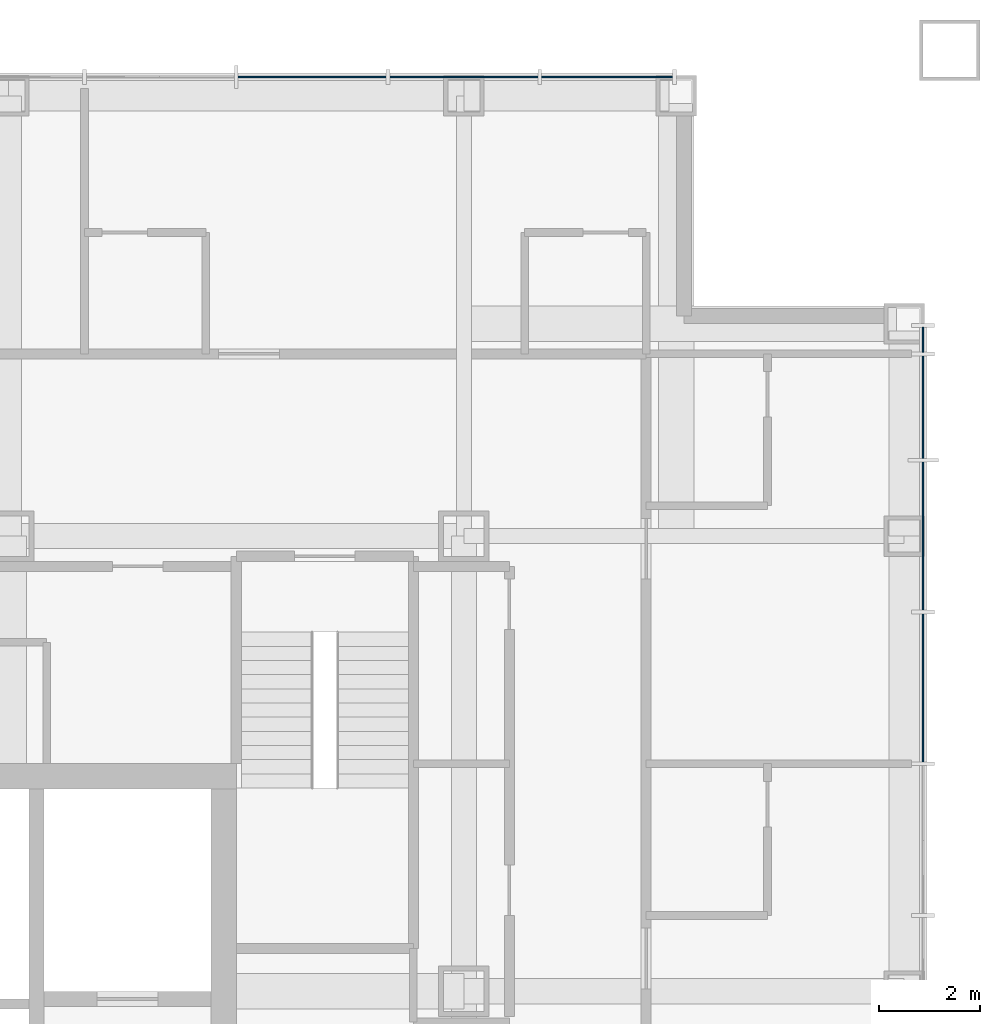
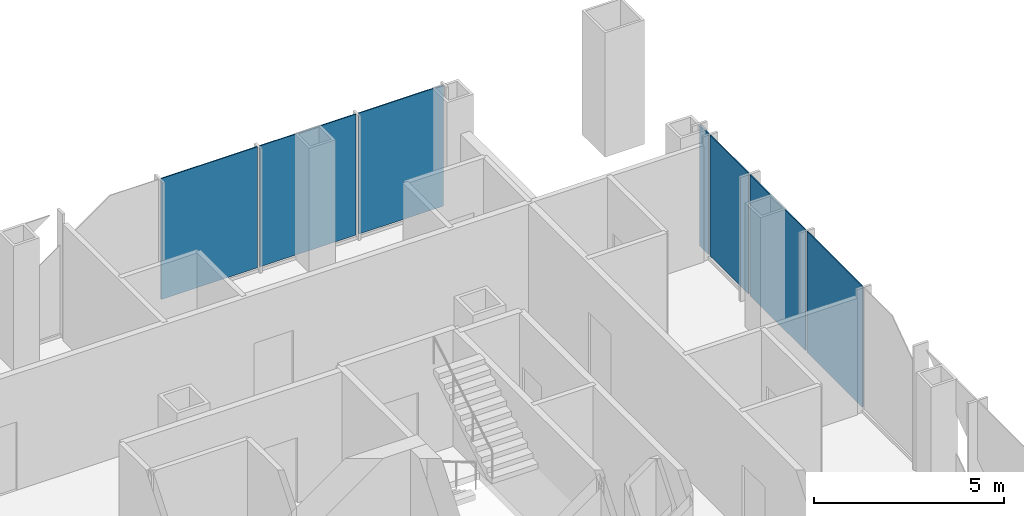
# One storey, part 11 of 17: 7 plates, 2 elements without a shape of their own.
"""IFC4 building model written with IfcOpenShell, lengths in metres."""

from ifc_helpers import new_model, si_unit, direction, frame, origin, origin_2d, place, context, subcontext, project, spatial, rectangle, extrude, material, layer, layer_set, type_object, element, aggregate, save


model = new_model("IFC4")

# Units and contexts
model_context = context("Model", 3, precision=1e-05, world=origin(), true_north=direction((0.0, 1.0)))
body_context = subcontext(model_context, "Body", "Model", "MODEL_VIEW")
ifc_project = project(units=[si_unit("LENGTHUNIT", "METRE"), si_unit("AREAUNIT", "SQUARE_METRE"), si_unit("VOLUMEUNIT", "CUBIC_METRE"), si_unit("PLANEANGLEUNIT", "RADIAN"), si_unit("MASSUNIT", "GRAM", prefix="KILO")], contexts=[model_context])

# Site, building, storey
site_placement = place(None, origin())
site = spatial("IfcSite", under=ifc_project, at=site_placement, CompositionType="ELEMENT")
building_placement = place(site_placement, origin())
building = spatial("IfcBuilding", under=site, at=building_placement, Name="Malebo Sky Hospital", CompositionType="ELEMENT")
storey_placement = place(building_placement, frame((0.0, 0.0, 193.0)))
storey = spatial("IfcBuildingStorey", under=building, at=storey_placement, Name="L46", CompositionType="ELEMENT", Elevation=193.0)

# Curtain wall, plates
ifc_material_1 = material(Name="Anodised aluminium, natural silver", Category="aluminium")
ifc_layer_1 = layer(ifc_material_1, 0.25)
ifc_layer_set_1 = layer_set([ifc_layer_1], Name="WARD CURTAIN WALL NORTH AND SOUTH")
curtain_wall_type_1 = type_object("IfcCurtainWallType", Name="WARD CURTAIN WALL NORTH AND SOUTH", PredefinedType="NOTDEFINED", material=ifc_layer_set_1)
curtain_wall_1_placement = place(storey_placement, origin())
curtain_wall_1 = element("IfcCurtainWall", 1, at=curtain_wall_1_placement, inside=storey, type_object=curtain_wall_type_1, Name="NS curtain wall N", PredefinedType="NOTDEFINED")
ifc_material_2 = material(Name="Clear low-iron double glazing", Category="glass")
ifc_layer_2 = layer(ifc_material_2, 0.031982421875)
ifc_layer_set_2 = layer_set([ifc_layer_2], Name="VISION PANEL CLEAR 32")
plate_type = type_object("IfcPlateType", Name="VISION PANEL CLEAR 32", PredefinedType="CURTAIN_PANEL", material=ifc_layer_set_2)
plate_1_placement = place(storey_placement, frame((70.5, 84.574951171875, 0.10009765625), z_axis=(0.0, 0.0, 1.0), x_axis=(1.0, 0.0, 0.0)))
plate_1 = element("IfcPlate", 2, at=plate_1_placement, type_object=plate_type, Name="Panel 11", PredefinedType="CURTAIN_PANEL", context=body_context, shape_type="SweptSolid", body=[
    extrude(rectangle(XDim=2.925048828125, YDim=0.031982421875, at=origin_2d()), origin(), (0.0, 0.0, 1.0), 3.889892578125),
])
plate_2_placement = place(storey_placement, frame((73.5, 84.574951171875, 0.10009765625), z_axis=(0.0, 0.0, 1.0), x_axis=(1.0, 0.0, 0.0)))
plate_2 = element("IfcPlate", 3, at=plate_2_placement, type_object=plate_type, Name="Panel 12", PredefinedType="CURTAIN_PANEL", context=body_context, shape_type="SweptSolid", body=[
    extrude(rectangle(XDim=2.925048828125, YDim=0.031982421875, at=origin_2d()), origin(), (0.0, 0.0, 1.0), 3.889892578125),
])
plate_3_placement = place(storey_placement, frame((76.331298828125, 84.574951171875, 0.10009765625), z_axis=(0.0, 0.0, 1.0), x_axis=(1.0, 0.0, 0.0)))
plate_3 = element("IfcPlate", 4, at=plate_3_placement, type_object=plate_type, Name="Panel 13", PredefinedType="CURTAIN_PANEL", context=body_context, shape_type="SweptSolid", body=[
    extrude(rectangle(XDim=2.58740234375, YDim=0.031982421875, at=origin_2d()), origin(), (0.0, 0.0, 1.0), 3.889892578125),
])
aggregate(curtain_wall_1, [plate_1, plate_2, plate_3])

ifc_layer_3 = layer(ifc_material_1, 0.25)
ifc_layer_set_3 = layer_set([ifc_layer_3], Name="WARD CURTAIN WALL EAST AND WEST")
curtain_wall_type_2 = type_object("IfcCurtainWallType", Name="WARD CURTAIN WALL EAST AND WEST", PredefinedType="NOTDEFINED", material=ifc_layer_set_3)
curtain_wall_2_placement = place(storey_placement, origin())
curtain_wall_2 = element("IfcCurtainWall", 5, at=curtain_wall_2_placement, inside=storey, type_object=curtain_wall_type_2, Name="EW curtain wall E", PredefinedType="NOTDEFINED")
plate_4_placement = place(storey_placement, frame((82.574951171875, 79.38134765625, 0.10009765625), z_axis=(0.0, 0.0, 1.0), x_axis=(0.0, -1.0, 0.0)))
plate_4 = element("IfcPlate", 6, at=plate_4_placement, type_object=plate_type, Name="Panel 1", PredefinedType="CURTAIN_PANEL", context=body_context, shape_type="SweptSolid", body=[
    extrude(rectangle(XDim=0.487548828125, YDim=0.031982421875, at=origin_2d()), origin(), (0.0, 0.0, 1.0), 3.889892578125),
])
plate_5_placement = place(storey_placement, frame((82.574951171875, 78.050048828125, 0.10009765625), z_axis=(0.0, 0.0, 1.0), x_axis=(0.0, -1.0, 0.0)))
plate_5 = element("IfcPlate", 7, at=plate_5_placement, type_object=plate_type, Name="Panel 2", PredefinedType="CURTAIN_PANEL", context=body_context, shape_type="SweptSolid", body=[
    extrude(rectangle(XDim=2.02490234375, YDim=0.031982421875, at=origin_2d()), origin(), (0.0, 0.0, 1.0), 3.889892578125),
])
plate_6_placement = place(storey_placement, frame((82.574951171875, 75.5, 0.10009765625), z_axis=(0.0, 0.0, 1.0), x_axis=(0.0, -1.0, 0.0)))
plate_6 = element("IfcPlate", 8, at=plate_6_placement, type_object=plate_type, Name="Panel 3", PredefinedType="CURTAIN_PANEL", context=body_context, shape_type="SweptSolid", body=[
    extrude(rectangle(XDim=2.925048828125, YDim=0.031982421875, at=origin_2d()), origin(), (0.0, 0.0, 1.0), 3.889892578125),
])
plate_7_placement = place(storey_placement, frame((82.574951171875, 72.5, 0.10009765625), z_axis=(0.0, 0.0, 1.0), x_axis=(0.0, -1.0, 0.0)))
plate_7 = element("IfcPlate", 9, at=plate_7_placement, type_object=plate_type, Name="Panel 4", PredefinedType="CURTAIN_PANEL", context=body_context, shape_type="SweptSolid", body=[
    extrude(rectangle(XDim=2.925048828125, YDim=0.031982421875, at=origin_2d()), origin(), (0.0, 0.0, 1.0), 3.889892578125),
])
aggregate(curtain_wall_2, [plate_4, plate_5, plate_6, plate_7])

save(model, "model.ifc")
